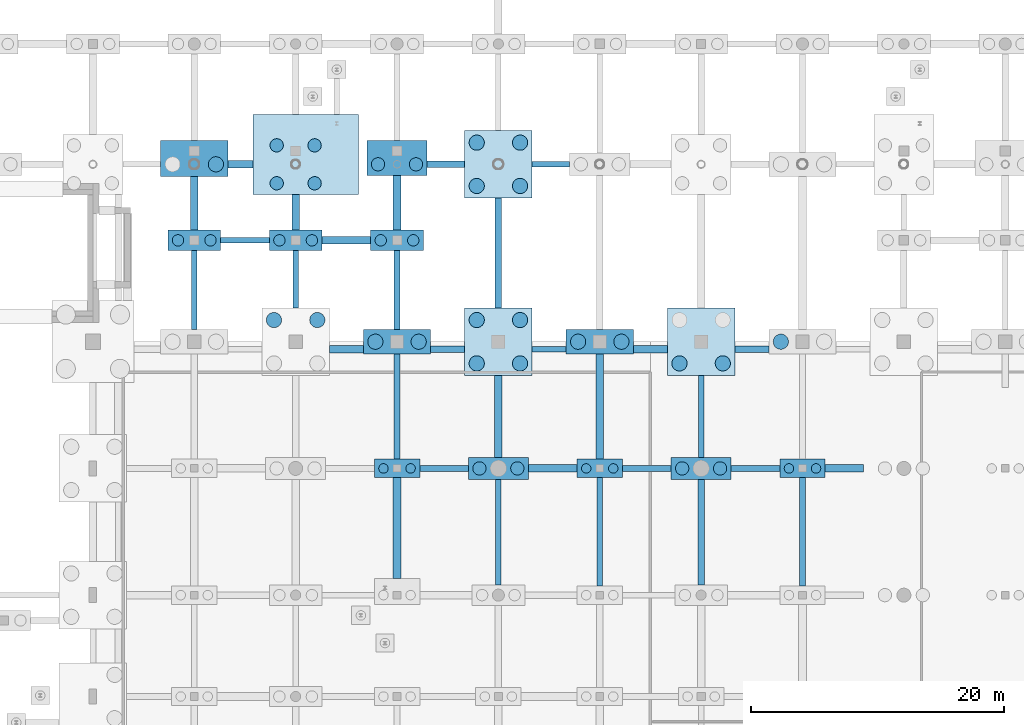
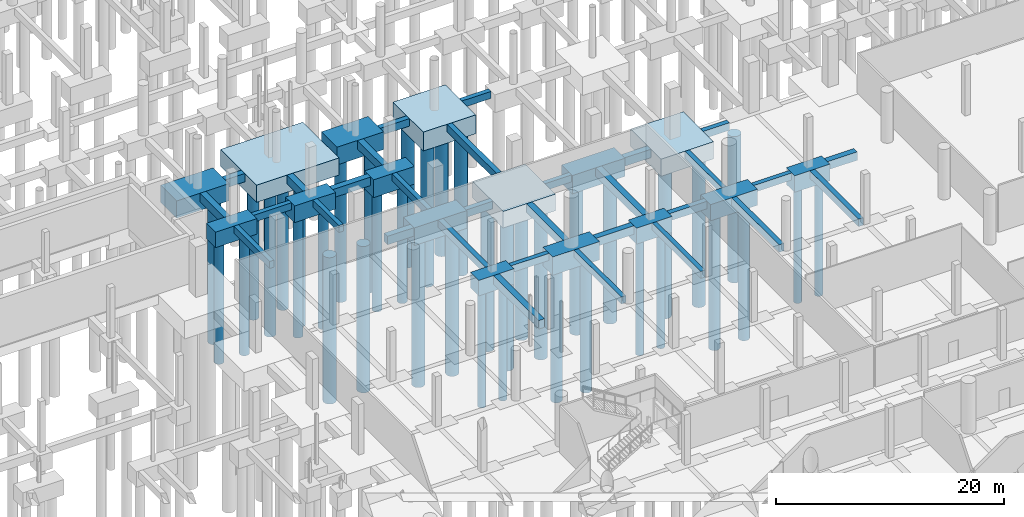
# One storey, part 8 of 65: 47 footings, 40 piles.
"""IFC4 building model written with IfcOpenShell, lengths in metres."""

from ifc_helpers import new_model, si_unit, direction, frame, origin, origin_2d, place, context, subcontext, project, spatial, rectangle, circle, extrude, material, material_profile, profile_set, type_object, element, save


model = new_model("IFC4")

# Units and contexts
model_context = context("Model", 3, precision=1e-05, world=origin(), true_north=direction((0.0, 1.0)))
body_context = subcontext(model_context, "Body", "Model", "MODEL_VIEW")
ifc_project = project(units=[si_unit("LENGTHUNIT", "METRE"), si_unit("AREAUNIT", "SQUARE_METRE"), si_unit("VOLUMEUNIT", "CUBIC_METRE"), si_unit("PLANEANGLEUNIT", "RADIAN"), si_unit("MASSUNIT", "GRAM", prefix="KILO")], contexts=[model_context])

# Site, building, storey
site_placement = place(None, origin())
site = spatial("IfcSite", under=ifc_project, at=site_placement, CompositionType="ELEMENT")
building_placement = place(site_placement, origin())
building = spatial("IfcBuilding", under=site, at=building_placement, Name="Khorjan Park Terminus", CompositionType="ELEMENT")
storey_placement = place(building_placement, frame((0.0, 0.0, -5.4)))
storey = spatial("IfcBuildingStorey", under=building, at=storey_placement, Name="B1", CompositionType="ELEMENT", Elevation=-5.4)

# Footings
ifc_material = material(Name="Concrete C40/50", Category="concrete")
ifc_material_profile_1 = material_profile(ifc_material, rectangle(XDim=0.45, YDim=0.75, at=origin_2d()), Name="RC 450x750")
ifc_profile_set_1 = profile_set([ifc_material_profile_1], Name="Concrete C40/50")
footing_type_1 = type_object("IfcFootingType", Name="FTG-GB-450x750", PredefinedType="FOOTING_BEAM", material=ifc_profile_set_1)
for number, where, z_axis, x_axis, name in (
    (1, (73.794, 78.0, -0.375), (1.0, 0.0, 0.0), (0.0, 1.0, 0.0), "Reinforced concrete ground tie beam FB-07 (71)"),
    (2, (98.371, 78.0, -0.375), (1.0, 0.0, 0.0), (0.0, 1.0, 0.0), "Reinforced concrete ground tie beam FB-07 (74)"),
):
    element("IfcFooting", number, at=place(storey_placement, frame(where, z_axis=z_axis, x_axis=x_axis)), inside=storey, type_object=footing_type_1, Name=name, PredefinedType="FOOTING_BEAM", context=body_context, shape_type="SweptSolid", body=[
        extrude(rectangle(XDim=0.45, YDim=0.75, at=origin_2d()), origin(), (0.0, 0.0, 1.0), 3.835),
    ])
footing_1_placement = place(storey_placement, frame((82.66, 87.4, -0.375), z_axis=(1.0, 0.0, 0.0), x_axis=(0.0, 1.0, 0.0)))
element("IfcFooting", 3, at=footing_1_placement, inside=storey, type_object=footing_type_1, Name="Reinforced concrete ground tie beam FB-07 (80)", PredefinedType="FOOTING_BEAM", context=body_context, shape_type="SweptSolid", body=[
    extrude(rectangle(XDim=0.45, YDim=0.75, at=origin_2d()), origin(), (0.0, 0.0, 1.0), 2.68),
])
footing_2_placement = place(storey_placement, frame((58.083, 96.0, -0.375), z_axis=(1.0, 0.0, 0.0), x_axis=(0.0, 1.0, 0.0)))
element("IfcFooting", 4, at=footing_2_placement, inside=storey, type_object=footing_type_1, Name="Reinforced concrete ground tie beam FB-07 (86)", PredefinedType="FOOTING_BEAM", context=body_context, shape_type="SweptSolid", body=[
    extrude(rectangle(XDim=0.45, YDim=0.75, at=origin_2d()), origin(), (0.0, 0.0, 1.0), 3.834),
])
footing_3_placement = place(storey_placement, frame((82.66, 102.0, -0.375), z_axis=(1.0, 0.0, 0.0), x_axis=(0.0, 1.0, 0.0)))
element("IfcFooting", 5, at=footing_3_placement, inside=storey, type_object=footing_type_1, Name="Reinforced concrete ground tie beam FB-07 (98)", PredefinedType="FOOTING_BEAM", context=body_context, shape_type="SweptSolid", body=[
    extrude(rectangle(XDim=0.45, YDim=0.75, at=origin_2d()), origin(), (0.0, 0.0, 1.0), 2.969),
])
footing_4_placement = place(storey_placement, frame((56.0, 88.95, -0.375), z_axis=(0.0, 1.0, 0.0), x_axis=(-1.0, 0.0, 0.0)))
element("IfcFooting", 6, at=footing_4_placement, inside=storey, type_object=footing_type_1, Name="Reinforced concrete ground tie beam FB-07 (248)", PredefinedType="FOOTING_BEAM", context=body_context, shape_type="SweptSolid", body=[
    extrude(rectangle(XDim=0.45, YDim=0.75, at=origin_2d()), origin(), (0.0, 0.0, 1.0), 6.25),
])
footing_5_placement = place(storey_placement, frame((64.0, 90.66, -0.375), z_axis=(0.0, 1.0, 0.0), x_axis=(-1.0, 0.0, 0.0)))
element("IfcFooting", 7, at=footing_5_placement, inside=storey, type_object=footing_type_1, Name="Reinforced concrete ground tie beam FB-07 (266)", PredefinedType="FOOTING_BEAM", context=body_context, shape_type="SweptSolid", body=[
    extrude(rectangle(XDim=0.45, YDim=0.75, at=origin_2d()), origin(), (0.0, 0.0, 1.0), 4.54),
])
footing_6_placement = place(storey_placement, frame((72.0, 88.95, -0.375), z_axis=(0.0, 1.0, 0.0), x_axis=(-1.0, 0.0, 0.0)))
element("IfcFooting", 8, at=footing_6_placement, inside=storey, type_object=footing_type_1, Name="Reinforced concrete ground tie beam FB-07 (278)", PredefinedType="FOOTING_BEAM", context=body_context, shape_type="SweptSolid", body=[
    extrude(rectangle(XDim=0.45, YDim=0.75, at=origin_2d()), origin(), (0.0, 0.0, 1.0), 6.25),
])
footing_7_placement = place(storey_placement, frame((80.0, 68.8, -0.375), z_axis=(0.0, 1.0, 0.0), x_axis=(-1.0, 0.0, 0.0)))
element("IfcFooting", 9, at=footing_7_placement, inside=storey, type_object=footing_type_1, Name="Reinforced concrete ground tie beam FB-07 (293)", PredefinedType="FOOTING_BEAM", context=body_context, shape_type="SweptSolid", body=[
    extrude(rectangle(XDim=0.45, YDim=0.75, at=origin_2d()), origin(), (0.0, 0.0, 1.0), 8.325),
])
footing_8_placement = place(storey_placement, frame((88.0, 68.725, -0.375), z_axis=(0.0, 1.0, 0.0), x_axis=(-1.0, 0.0, 0.0)))
element("IfcFooting", 10, at=footing_8_placement, inside=storey, type_object=footing_type_1, Name="Reinforced concrete ground tie beam FB-07 (308)", PredefinedType="FOOTING_BEAM", context=body_context, shape_type="SweptSolid", body=[
    extrude(rectangle(XDim=0.45, YDim=0.75, at=origin_2d()), origin(), (0.0, 0.0, 1.0), 8.55),
])
footing_9_placement = place(storey_placement, frame((96.0, 78.875, -0.375), z_axis=(0.0, 1.0, 0.0), x_axis=(-1.0, 0.0, 0.0)))
element("IfcFooting", 11, at=footing_9_placement, inside=storey, type_object=footing_type_1, Name="Reinforced concrete ground tie beam FB-07 (323)", PredefinedType="FOOTING_BEAM", context=body_context, shape_type="SweptSolid", body=[
    extrude(rectangle(XDim=0.45, YDim=0.75, at=origin_2d()), origin(), (0.0, 0.0, 1.0), 6.465),
])
ifc_material_profile_2 = material_profile(ifc_material, rectangle(XDim=0.5, YDim=0.8, at=origin_2d()), Name="RC 500x800")
ifc_profile_set_2 = profile_set([ifc_material_profile_2], Name="Concrete C40/50")
footing_type_2 = type_object("IfcFootingType", Name="FTG-GB-500x800", PredefinedType="FOOTING_BEAM", material=ifc_profile_set_2)
footing_10_placement = place(storey_placement, frame((89.794, 78.0, -0.4), z_axis=(1.0, 0.0, 0.0), x_axis=(0.0, 1.0, 0.0)))
element("IfcFooting", 12, at=footing_10_placement, inside=storey, type_object=footing_type_2, Name="Reinforced concrete ground tie beam FB-08 (73)", PredefinedType="FOOTING_BEAM", context=body_context, shape_type="SweptSolid", body=[
    extrude(rectangle(XDim=0.5, YDim=0.8, at=origin_2d()), origin(), (0.0, 0.0, 1.0), 3.835),
])
for number, where, z_axis, x_axis, name in (
    (13, (74.66, 87.4, -0.4), (1.0, 0.0, 0.0), (0.0, 1.0, 0.0), "Reinforced concrete ground tie beam FB-08 (79)"),
    (14, (98.66, 87.4, -0.4), (1.0, 0.0, 0.0), (0.0, 1.0, 0.0), "Reinforced concrete ground tie beam FB-08 (82)"),
):
    element("IfcFooting", number, at=place(storey_placement, frame(where, z_axis=z_axis, x_axis=x_axis)), inside=storey, type_object=footing_type_2, Name=name, PredefinedType="FOOTING_BEAM", context=body_context, shape_type="SweptSolid", body=[
        extrude(rectangle(XDim=0.5, YDim=0.8, at=origin_2d()), origin(), (0.0, 0.0, 1.0), 2.68),
    ])
footing_11_placement = place(storey_placement, frame((74.371, 102.0, -0.4), z_axis=(1.0, 0.0, 0.0), x_axis=(0.0, 1.0, 0.0)))
element("IfcFooting", 15, at=footing_11_placement, inside=storey, type_object=footing_type_2, Name="Reinforced concrete ground tie beam FB-08 (97)", PredefinedType="FOOTING_BEAM", context=body_context, shape_type="SweptSolid", body=[
    extrude(rectangle(XDim=0.5, YDim=0.8, at=origin_2d()), origin(), (0.0, 0.0, 1.0), 2.969),
])
footing_12_placement = place(storey_placement, frame((72.0, 78.725, -0.4), z_axis=(0.0, 1.0, 0.0), x_axis=(-1.0, 0.0, 0.0)))
element("IfcFooting", 16, at=footing_12_placement, inside=storey, type_object=footing_type_2, Name="Reinforced concrete ground tie beam FB-08 (277)", PredefinedType="FOOTING_BEAM", context=body_context, shape_type="SweptSolid", body=[
    extrude(rectangle(XDim=0.5, YDim=0.8, at=origin_2d()), origin(), (0.0, 0.0, 1.0), 8.325),
])
footing_13_placement = place(storey_placement, frame((80.0, 90.66, -0.4), z_axis=(0.0, 1.0, 0.0), x_axis=(-1.0, 0.0, 0.0)))
element("IfcFooting", 17, at=footing_13_placement, inside=storey, type_object=footing_type_2, Name="Reinforced concrete ground tie beam FB-08 (295)", PredefinedType="FOOTING_BEAM", context=body_context, shape_type="SweptSolid", body=[
    extrude(rectangle(XDim=0.5, YDim=0.8, at=origin_2d()), origin(), (0.0, 0.0, 1.0), 8.68),
])
footing_14_placement = place(storey_placement, frame((96.0, 68.8, -0.4), z_axis=(0.0, 1.0, 0.0), x_axis=(-1.0, 0.0, 0.0)))
element("IfcFooting", 18, at=footing_14_placement, inside=storey, type_object=footing_type_2, Name="Reinforced concrete ground tie beam FB-08 (322)", PredefinedType="FOOTING_BEAM", context=body_context, shape_type="SweptSolid", body=[
    extrude(rectangle(XDim=0.5, YDim=0.8, at=origin_2d()), origin(), (0.0, 0.0, 1.0), 8.325),
])
footing_15_placement = place(storey_placement, frame((104.0, 68.725, -0.4), z_axis=(0.0, 1.0, 0.0), x_axis=(-1.0, 0.0, 0.0)))
element("IfcFooting", 19, at=footing_15_placement, inside=storey, type_object=footing_type_2, Name="Reinforced concrete ground tie beam FB-08 (334)", PredefinedType="FOOTING_BEAM", context=body_context, shape_type="SweptSolid", body=[
    extrude(rectangle(XDim=0.5, YDim=0.8, at=origin_2d()), origin(), (0.0, 0.0, 1.0), 8.55),
])
ifc_material_profile_3 = material_profile(ifc_material, rectangle(XDim=0.6, YDim=0.9, at=origin_2d()), Name="RC 600x900")
ifc_profile_set_3 = profile_set([ifc_material_profile_3], Name="Concrete C40/50")
footing_type_3 = type_object("IfcFootingType", Name="FTG-GB-600x900", PredefinedType="FOOTING_BEAM", material=ifc_profile_set_3)
footing_16_placement = place(storey_placement, frame((82.371, 78.0, -0.45), z_axis=(1.0, 0.0, 0.0), x_axis=(0.0, 1.0, 0.0)))
element("IfcFooting", 20, at=footing_16_placement, inside=storey, type_object=footing_type_3, Name="Reinforced concrete ground tie beam FB-09 (72)", PredefinedType="FOOTING_BEAM", context=body_context, shape_type="SweptSolid", body=[
    extrude(rectangle(XDim=0.6, YDim=0.9, at=origin_2d()), origin(), (0.0, 0.0, 1.0), 3.835),
])
footing_17_placement = place(storey_placement, frame((105.794, 78.0, -0.45), z_axis=(1.0, 0.0, 0.0), x_axis=(0.0, 1.0, 0.0)))
element("IfcFooting", 21, at=footing_17_placement, inside=storey, type_object=footing_type_3, Name="Reinforced concrete ground tie beam FB-09 (75)", PredefinedType="FOOTING_BEAM", context=body_context, shape_type="SweptSolid", body=[
    extrude(rectangle(XDim=0.6, YDim=0.9, at=origin_2d()), origin(), (0.0, 0.0, 1.0), 3.014),
])
for number, where, z_axis, x_axis, name in (
    (22, (66.66, 87.4, -0.45), (1.0, 0.0, 0.0), (0.0, 1.0, 0.0), "Reinforced concrete ground tie beam FB-09 (78)"),
    (23, (90.66, 87.4, -0.45), (1.0, 0.0, 0.0), (0.0, 1.0, 0.0), "Reinforced concrete ground tie beam FB-09 (81)"),
):
    element("IfcFooting", number, at=place(storey_placement, frame(where, z_axis=z_axis, x_axis=x_axis)), inside=storey, type_object=footing_type_3, Name=name, PredefinedType="FOOTING_BEAM", context=body_context, shape_type="SweptSolid", body=[
        extrude(rectangle(XDim=0.6, YDim=0.9, at=origin_2d()), origin(), (0.0, 0.0, 1.0), 2.68),
    ])
footing_18_placement = place(storey_placement, frame((66.082, 96.0, -0.45), z_axis=(1.0, 0.0, 0.0), x_axis=(0.0, 1.0, 0.0)))
element("IfcFooting", 24, at=footing_18_placement, inside=storey, type_object=footing_type_3, Name="Reinforced concrete ground tie beam FB-09 (87)", PredefinedType="FOOTING_BEAM", context=body_context, shape_type="SweptSolid", body=[
    extrude(rectangle(XDim=0.6, YDim=0.9, at=origin_2d()), origin(), (0.0, 0.0, 1.0), 3.836),
])
footing_19_placement = place(storey_placement, frame((58.66, 102.0, -0.45), z_axis=(1.0, 0.0, 0.0), x_axis=(0.0, 1.0, 0.0)))
element("IfcFooting", 25, at=footing_19_placement, inside=storey, type_object=footing_type_3, Name="Reinforced concrete ground tie beam FB-09 (96)", PredefinedType="FOOTING_BEAM", context=body_context, shape_type="SweptSolid", body=[
    extrude(rectangle(XDim=0.6, YDim=0.9, at=origin_2d()), origin(), (0.0, 0.0, 1.0), 1.973),
])
footing_20_placement = place(storey_placement, frame((56.0, 96.8, -0.45), z_axis=(0.0, 1.0, 0.0), x_axis=(-1.0, 0.0, 0.0)))
element("IfcFooting", 26, at=footing_20_placement, inside=storey, type_object=footing_type_3, Name="Reinforced concrete ground tie beam FB-09 (249)", PredefinedType="FOOTING_BEAM", context=body_context, shape_type="SweptSolid", body=[
    extrude(rectangle(XDim=0.6, YDim=0.9, at=origin_2d()), origin(), (0.0, 0.0, 1.0), 4.25),
])
footing_21_placement = place(storey_placement, frame((64.0, 96.8, -0.45), z_axis=(0.0, 1.0, 0.0), x_axis=(-1.0, 0.0, 0.0)))
element("IfcFooting", 27, at=footing_21_placement, inside=storey, type_object=footing_type_3, Name="Reinforced concrete ground tie beam FB-09 (267)", PredefinedType="FOOTING_BEAM", context=body_context, shape_type="SweptSolid", body=[
    extrude(rectangle(XDim=0.6, YDim=0.9, at=origin_2d()), origin(), (0.0, 0.0, 1.0), 2.829),
])
footing_22_placement = place(storey_placement, frame((72.0, 69.305, -0.45), z_axis=(0.0, 1.0, 0.0), x_axis=(-1.0, 0.0, 0.0)))
element("IfcFooting", 28, at=footing_22_placement, inside=storey, type_object=footing_type_3, Name="Reinforced concrete ground tie beam FB-09 (276)", PredefinedType="FOOTING_BEAM", context=body_context, shape_type="SweptSolid", body=[
    extrude(rectangle(XDim=0.6, YDim=0.9, at=origin_2d()), origin(), (0.0, 0.0, 1.0), 7.97),
])
footing_23_placement = place(storey_placement, frame((72.0, 96.8, -0.45), z_axis=(0.0, 1.0, 0.0), x_axis=(-1.0, 0.0, 0.0)))
element("IfcFooting", 29, at=footing_23_placement, inside=storey, type_object=footing_type_3, Name="Reinforced concrete ground tie beam FB-09 (279)", PredefinedType="FOOTING_BEAM", context=body_context, shape_type="SweptSolid", body=[
    extrude(rectangle(XDim=0.6, YDim=0.9, at=origin_2d()), origin(), (0.0, 0.0, 1.0), 4.325),
])
footing_24_placement = place(storey_placement, frame((80.0, 78.875, -0.45), z_axis=(0.0, 1.0, 0.0), x_axis=(-1.0, 0.0, 0.0)))
element("IfcFooting", 30, at=footing_24_placement, inside=storey, type_object=footing_type_3, Name="Reinforced concrete ground tie beam FB-09 (294)", PredefinedType="FOOTING_BEAM", context=body_context, shape_type="SweptSolid", body=[
    extrude(rectangle(XDim=0.6, YDim=0.9, at=origin_2d()), origin(), (0.0, 0.0, 1.0), 6.465),
])
footing_25_placement = place(storey_placement, frame((88.0, 78.725, -0.45), z_axis=(0.0, 1.0, 0.0), x_axis=(-1.0, 0.0, 0.0)))
element("IfcFooting", 31, at=footing_25_placement, inside=storey, type_object=footing_type_3, Name="Reinforced concrete ground tie beam FB-09 (309)", PredefinedType="FOOTING_BEAM", context=body_context, shape_type="SweptSolid", body=[
    extrude(rectangle(XDim=0.6, YDim=0.9, at=origin_2d()), origin(), (0.0, 0.0, 1.0), 8.325),
])
footing_type_4 = type_object("IfcFootingType", Name="FTG-PC-05", PredefinedType="PILE_CAP", material=ifc_material)
footing_26_placement = place(storey_placement, frame((63.9995, 96.0, -1.78), z_axis=(0.0, 0.0, 1.0), x_axis=(1.0, 0.0, 0.0)))
element("IfcFooting", 32, at=footing_26_placement, inside=storey, type_object=footing_type_4, Name="Reinforced concrete pile cap PC-05 (109)", PredefinedType="PILE_CAP", context=body_context, shape_type="SweptSolid", body=[
    extrude(rectangle(XDim=4.165, YDim=1.6, at=origin_2d()), origin(), (0.0, 0.0, 1.0), 1.78),
])
footing_type_5 = type_object("IfcFootingType", Name="FTG-PC-07", PredefinedType="PILE_CAP", material=ifc_material)
footing_27_placement = place(storey_placement, frame((56.0, 96.0, -1.66), z_axis=(0.0, 0.0, 1.0), x_axis=(1.0, 0.0, 0.0)))
element("IfcFooting", 33, at=footing_27_placement, inside=storey, type_object=footing_type_5, Name="Reinforced concrete pile cap PC-07 (87)", PredefinedType="PILE_CAP", context=body_context, shape_type="SweptSolid", body=[
    extrude(rectangle(XDim=4.166, YDim=1.6, at=origin_2d()), origin(), (0.0, 0.0, 1.0), 1.66),
])
footing_type_6 = type_object("IfcFootingType", Name="FTG-PC-12", PredefinedType="PILE_CAP", material=ifc_material)
footing_28_placement = place(storey_placement, frame((72.0, 96.0, -1.9), z_axis=(0.0, 0.0, 1.0), x_axis=(1.0, 0.0, 0.0)))
element("IfcFooting", 34, at=footing_28_placement, inside=storey, type_object=footing_type_6, Name="Reinforced concrete pile cap PC-12 (132)", PredefinedType="PILE_CAP", context=body_context, shape_type="SweptSolid", body=[
    extrude(rectangle(XDim=4.164, YDim=1.6, at=origin_2d()), origin(), (0.0, 0.0, 1.0), 1.9),
])
footing_type_7 = type_object("IfcFootingType", Name="FTG-PC-24", PredefinedType="PILE_CAP", material=ifc_material)
footing_29_placement = place(storey_placement, frame((80.0, 102.0, -2.02), z_axis=(0.0, 0.0, 1.0), x_axis=(1.0, 0.0, 0.0)))
element("IfcFooting", 35, at=footing_29_placement, inside=storey, type_object=footing_type_7, Name="Reinforced concrete pile cap PC-24 (148)", PredefinedType="PILE_CAP", context=body_context, shape_type="SweptSolid", body=[
    extrude(rectangle(XDim=5.32, YDim=5.32, at=origin_2d()), origin(), (0.0, 0.0, 1.0), 2.02),
])
footing_type_8 = type_object("IfcFootingType", Name="FTG-PC-25", PredefinedType="PILE_CAP", material=ifc_material)
footing_30_placement = place(storey_placement, frame((80.0, 78.0, -1.96), z_axis=(0.0, 0.0, 1.0), x_axis=(1.0, 0.0, 0.0)))
element("IfcFooting", 36, at=footing_30_placement, inside=storey, type_object=footing_type_8, Name="Reinforced concrete pile cap PC-25 (150)", PredefinedType="PILE_CAP", context=body_context, shape_type="SweptSolid", body=[
    extrude(rectangle(XDim=4.742, YDim=1.75, at=origin_2d()), origin(), (0.0, 0.0, 1.0), 1.96),
])
footing_type_9 = type_object("IfcFootingType", Name="FTG-PC-26", PredefinedType="PILE_CAP", material=ifc_material)
footing_31_placement = place(storey_placement, frame((96.0, 78.0, -1.72), z_axis=(0.0, 0.0, 1.0), x_axis=(1.0, 0.0, 0.0)))
element("IfcFooting", 37, at=footing_31_placement, inside=storey, type_object=footing_type_9, Name="Reinforced concrete pile cap PC-26 (180)", PredefinedType="PILE_CAP", context=body_context, shape_type="SweptSolid", body=[
    extrude(rectangle(XDim=4.742, YDim=1.75, at=origin_2d()), origin(), (0.0, 0.0, 1.0), 1.72),
])
footing_type_10 = type_object("IfcFootingType", Name="FTG-PC-29", PredefinedType="PILE_CAP", material=ifc_material)
footing_32_placement = place(storey_placement, frame((80.0, 88.0, -1.78), z_axis=(0.0, 0.0, 1.0), x_axis=(1.0, 0.0, 0.0)))
element("IfcFooting", 38, at=footing_32_placement, inside=storey, type_object=footing_type_10, Name="Reinforced concrete pile cap PC-29 (147)", PredefinedType="PILE_CAP", context=body_context, shape_type="SweptSolid", body=[
    extrude(rectangle(XDim=5.32, YDim=5.32, at=origin_2d()), origin(), (0.0, 0.0, 1.0), 1.78),
])
footing_type_11 = type_object("IfcFootingType", Name="FTG-PC-34", PredefinedType="PILE_CAP", material=ifc_material)
footing_33_placement = place(storey_placement, frame((72.0, 88.0, -1.9), z_axis=(0.0, 0.0, 1.0), x_axis=(1.0, 0.0, 0.0)))
element("IfcFooting", 39, at=footing_33_placement, inside=storey, type_object=footing_type_11, Name="Reinforced concrete pile cap PC-34 (129)", PredefinedType="PILE_CAP", context=body_context, shape_type="SweptSolid", body=[
    extrude(rectangle(XDim=5.32, YDim=1.9, at=origin_2d()), origin(), (0.0, 0.0, 1.0), 1.9),
])
footing_type_12 = type_object("IfcFootingType", Name="FTG-PC-35", PredefinedType="PILE_CAP", material=ifc_material)
footing_34_placement = place(storey_placement, frame((56.0, 102.455, -1.84), z_axis=(0.0, 0.0, 1.0), x_axis=(1.0, 0.0, 0.0)))
element("IfcFooting", 40, at=footing_34_placement, inside=storey, type_object=footing_type_12, Name="Reinforced concrete pile cap PC-35 (85)", PredefinedType="PILE_CAP", context=body_context, shape_type="SweptSolid", body=[
    extrude(rectangle(XDim=5.32, YDim=2.81, at=origin_2d()), origin(), (0.0, 0.0, 1.0), 1.84),
])
footing_type_13 = type_object("IfcFootingType", Name="FTG-PC-36", PredefinedType="PILE_CAP", material=ifc_material)
footing_35_placement = place(storey_placement, frame((88.0, 78.0, -1.72), z_axis=(0.0, 0.0, 1.0), x_axis=(1.0, 0.0, 0.0)))
element("IfcFooting", 41, at=footing_35_placement, inside=storey, type_object=footing_type_13, Name="Reinforced concrete pile cap PC-36 (175)", PredefinedType="PILE_CAP", context=body_context, shape_type="SweptSolid", body=[
    extrude(rectangle(XDim=3.588, YDim=1.45, at=origin_2d()), origin(), (0.0, 0.0, 1.0), 1.72),
])
footing_type_14 = type_object("IfcFootingType", Name="FTG-PC-37", PredefinedType="PILE_CAP", material=ifc_material)
footing_36_placement = place(storey_placement, frame((104.0, 78.0, -1.78), z_axis=(0.0, 0.0, 1.0), x_axis=(1.0, 0.0, 0.0)))
element("IfcFooting", 42, at=footing_36_placement, inside=storey, type_object=footing_type_14, Name="Reinforced concrete pile cap PC-37 (212)", PredefinedType="PILE_CAP", context=body_context, shape_type="SweptSolid", body=[
    extrude(rectangle(XDim=3.588, YDim=1.45, at=origin_2d()), origin(), (0.0, 0.0, 1.0), 1.78),
])
footing_type_15 = type_object("IfcFootingType", Name="FTG-PC-40", PredefinedType="PILE_CAP", material=ifc_material)
footing_37_placement = place(storey_placement, frame((72.0, 78.0, -1.66), z_axis=(0.0, 0.0, 1.0), x_axis=(1.0, 0.0, 0.0)))
element("IfcFooting", 43, at=footing_37_placement, inside=storey, type_object=footing_type_15, Name="Reinforced concrete pile cap PC-40 (141)", PredefinedType="PILE_CAP", context=body_context, shape_type="SweptSolid", body=[
    extrude(rectangle(XDim=3.588, YDim=1.45, at=origin_2d()), origin(), (0.0, 0.0, 1.0), 1.66),
])
footing_type_16 = type_object("IfcFootingType", Name="FTG-PC-41", PredefinedType="PILE_CAP", material=ifc_material)
footing_38_placement = place(storey_placement, frame((64.802, 102.787, -1.84), z_axis=(0.0, 0.0, 1.0), x_axis=(1.0, 0.0, 0.0)))
element("IfcFooting", 44, at=footing_38_placement, inside=storey, type_object=footing_type_16, Name="Reinforced concrete pile cap PC-41 (101)", PredefinedType="PILE_CAP", context=body_context, shape_type="SweptSolid", body=[
    extrude(rectangle(XDim=8.338, YDim=6.316, at=origin_2d()), origin(), (0.0, 0.0, 1.0), 1.84),
])
footing_type_17 = type_object("IfcFootingType", Name="FTG-PC-43", PredefinedType="PILE_CAP", material=ifc_material)
footing_39_placement = place(storey_placement, frame((72.0, 102.4925, -1.9), z_axis=(0.0, 0.0, 1.0), x_axis=(1.0, 0.0, 0.0)))
element("IfcFooting", 45, at=footing_39_placement, inside=storey, type_object=footing_type_17, Name="Reinforced concrete pile cap PC-43 (130)", PredefinedType="PILE_CAP", context=body_context, shape_type="SweptSolid", body=[
    extrude(rectangle(XDim=4.742, YDim=2.735, at=origin_2d()), origin(), (0.0, 0.0, 1.0), 1.9),
])
footing_type_18 = type_object("IfcFootingType", Name="FTG-PC-47", PredefinedType="PILE_CAP", material=ifc_material)
footing_40_placement = place(storey_placement, frame((88.0, 88.0, -1.96), z_axis=(0.0, 0.0, 1.0), x_axis=(1.0, 0.0, 0.0)))
element("IfcFooting", 46, at=footing_40_placement, inside=storey, type_object=footing_type_18, Name="Reinforced concrete pile cap PC-47 (164)", PredefinedType="PILE_CAP", context=body_context, shape_type="SweptSolid", body=[
    extrude(rectangle(XDim=5.32, YDim=1.9, at=origin_2d()), origin(), (0.0, 0.0, 1.0), 1.96),
])
footing_type_19 = type_object("IfcFootingType", Name="FTG-PC-57", PredefinedType="PILE_CAP", material=ifc_material)
footing_41_placement = place(storey_placement, frame((96.0, 88.0, -1.84), z_axis=(0.0, 0.0, 1.0), x_axis=(1.0, 0.0, 0.0)))
element("IfcFooting", 47, at=footing_41_placement, inside=storey, type_object=footing_type_19, Name="Reinforced concrete pile cap PC-57 (178)", PredefinedType="PILE_CAP", context=body_context, shape_type="SweptSolid", body=[
    extrude(rectangle(XDim=5.32, YDim=5.32, at=origin_2d()), origin(), (0.0, 0.0, 1.0), 1.84),
])

# Piles
ifc_material_profile_4 = material_profile(ifc_material, circle(Radius=0.525, at=origin_2d()), Name="BORED D1050")
ifc_profile_set_4 = profile_set([ifc_material_profile_4], Name="Concrete C40/50")
pile_type_1 = type_object("IfcPileType", Name="PL-D1050", PredefinedType="BORED", material=ifc_profile_set_4)
for number, where, z_axis, x_axis, name in (
    (48, (62.5035, 100.5035, -1.74), (0.0, 0.0, -1.0), (1.0, 0.0, 0.0), "Bored rock-socketed pile PL-105 (236)"),
    (49, (62.5035, 103.4965, -1.74), (0.0, 0.0, -1.0), (1.0, 0.0, 0.0), "Bored rock-socketed pile PL-105 (237)"),
    (50, (65.4965, 100.5035, -1.74), (0.0, 0.0, -1.0), (1.0, 0.0, 0.0), "Bored rock-socketed pile PL-105 (238)"),
    (51, (65.4965, 103.4965, -1.74), (0.0, 0.0, -1.0), (1.0, 0.0, 0.0), "Bored rock-socketed pile PL-105 (239)"),
):
    element("IfcPile", number, at=place(storey_placement, frame(where, z_axis=z_axis, x_axis=x_axis)), inside=storey, type_object=pile_type_1, Name=name, PredefinedType="BORED", context=body_context, shape_type="SweptSolid", body=[
        extrude(circle(Radius=0.525, at=origin_2d()), origin(), (0.0, 0.0, 1.0), 15.36),
    ])
for number, where, z_axis, x_axis, name in (
    (52, (70.5035, 102.0, -1.8), (0.0, 0.0, -1.0), (1.0, 0.0, 0.0), "Bored rock-socketed pile PL-105 (287)"),
    (53, (73.4965, 102.0, -1.8), (0.0, 0.0, -1.0), (1.0, 0.0, 0.0), "Bored rock-socketed pile PL-105 (288)"),
):
    element("IfcPile", number, at=place(storey_placement, frame(where, z_axis=z_axis, x_axis=x_axis)), inside=storey, type_object=pile_type_1, Name=name, PredefinedType="BORED", context=body_context, shape_type="SweptSolid", body=[
        extrude(circle(Radius=0.525, at=origin_2d()), origin(), (0.0, 0.0, 1.0), 15.3),
    ])
for number, where, z_axis, x_axis, name in (
    (54, (78.5035, 78.0, -1.86), (0.0, 0.0, -1.0), (1.0, 0.0, 0.0), "Bored rock-socketed pile PL-105 (342)"),
    (55, (81.4965, 78.0, -1.86), (0.0, 0.0, -1.0), (1.0, 0.0, 0.0), "Bored rock-socketed pile PL-105 (343)"),
):
    element("IfcPile", number, at=place(storey_placement, frame(where, z_axis=z_axis, x_axis=x_axis)), inside=storey, type_object=pile_type_1, Name=name, PredefinedType="BORED", context=body_context, shape_type="SweptSolid", body=[
        extrude(circle(Radius=0.525, at=origin_2d()), origin(), (0.0, 0.0, 1.0), 14.24),
    ])
for number, where, z_axis, x_axis, name in (
    (56, (94.5035, 78.0, -1.62), (0.0, 0.0, -1.0), (1.0, 0.0, 0.0), "Bored rock-socketed pile PL-105 (402)"),
    (57, (97.4965, 78.0, -1.62), (0.0, 0.0, -1.0), (1.0, 0.0, 0.0), "Bored rock-socketed pile PL-105 (403)"),
):
    element("IfcPile", number, at=place(storey_placement, frame(where, z_axis=z_axis, x_axis=x_axis)), inside=storey, type_object=pile_type_1, Name=name, PredefinedType="BORED", context=body_context, shape_type="SweptSolid", body=[
        extrude(circle(Radius=0.525, at=origin_2d()), origin(), (0.0, 0.0, 1.0), 14.48),
    ])
ifc_material_profile_5 = material_profile(ifc_material, circle(Radius=0.6, at=origin_2d()), Name="BORED D1200")
ifc_profile_set_5 = profile_set([ifc_material_profile_5], Name="Concrete C40/50")
pile_type_2 = type_object("IfcPileType", Name="PL-D1200", PredefinedType="BORED", material=ifc_profile_set_5)
pile_1_placement = place(storey_placement, frame((57.71, 102.0, -1.74), z_axis=(0.0, 0.0, -1.0), x_axis=(1.0, 0.0, 0.0)))
element("IfcPile", 58, at=pile_1_placement, inside=storey, type_object=pile_type_2, Name="Bored rock-socketed pile PL-120 (207)", PredefinedType="BORED", context=body_context, shape_type="SweptSolid", body=[
    extrude(circle(Radius=0.6, at=origin_2d()), origin(), (0.0, 0.0, 1.0), 15.36),
])
for number, where, z_axis, x_axis, name in (
    (59, (62.29, 89.71, -1.92), (0.0, 0.0, -1.0), (1.0, 0.0, 0.0), "Bored rock-socketed pile PL-120 (241)"),
    (60, (65.71, 89.71, -1.92), (0.0, 0.0, -1.0), (1.0, 0.0, 0.0), "Bored rock-socketed pile PL-120 (243)"),
):
    element("IfcPile", number, at=place(storey_placement, frame(where, z_axis=z_axis, x_axis=x_axis)), inside=storey, type_object=pile_type_2, Name=name, PredefinedType="BORED", context=body_context, shape_type="SweptSolid", body=[
        extrude(circle(Radius=0.6, at=origin_2d()), origin(), (0.0, 0.0, 1.0), 15.68),
    ])
for number, where, z_axis, x_axis, name in (
    (61, (70.29, 88.0, -1.8), (0.0, 0.0, -1.0), (1.0, 0.0, 0.0), "Bored rock-socketed pile PL-120 (285)"),
    (62, (73.71, 88.0, -1.8), (0.0, 0.0, -1.0), (1.0, 0.0, 0.0), "Bored rock-socketed pile PL-120 (286)"),
):
    element("IfcPile", number, at=place(storey_placement, frame(where, z_axis=z_axis, x_axis=x_axis)), inside=storey, type_object=pile_type_2, Name=name, PredefinedType="BORED", context=body_context, shape_type="SweptSolid", body=[
        extrude(circle(Radius=0.6, at=origin_2d()), origin(), (0.0, 0.0, 1.0), 15.8),
    ])
for number, where, z_axis, x_axis, name in (
    (63, (78.29, 86.29, -1.68), (0.0, 0.0, -1.0), (1.0, 0.0, 0.0), "Bored rock-socketed pile PL-120 (332)"),
    (64, (78.29, 89.71, -1.68), (0.0, 0.0, -1.0), (1.0, 0.0, 0.0), "Bored rock-socketed pile PL-120 (333)"),
    (65, (81.71, 86.29, -1.68), (0.0, 0.0, -1.0), (1.0, 0.0, 0.0), "Bored rock-socketed pile PL-120 (334)"),
    (66, (81.71, 89.71, -1.68), (0.0, 0.0, -1.0), (1.0, 0.0, 0.0), "Bored rock-socketed pile PL-120 (335)"),
):
    element("IfcPile", number, at=place(storey_placement, frame(where, z_axis=z_axis, x_axis=x_axis)), inside=storey, type_object=pile_type_2, Name=name, PredefinedType="BORED", context=body_context, shape_type="SweptSolid", body=[
        extrude(circle(Radius=0.6, at=origin_2d()), origin(), (0.0, 0.0, 1.0), 15.92),
    ])
for number, where, z_axis, x_axis, name in (
    (67, (78.29, 100.29, -1.92), (0.0, 0.0, -1.0), (1.0, 0.0, 0.0), "Bored rock-socketed pile PL-120 (336)"),
    (68, (78.29, 103.71, -1.92), (0.0, 0.0, -1.0), (1.0, 0.0, 0.0), "Bored rock-socketed pile PL-120 (337)"),
    (69, (81.71, 100.29, -1.92), (0.0, 0.0, -1.0), (1.0, 0.0, 0.0), "Bored rock-socketed pile PL-120 (338)"),
    (70, (81.71, 103.71, -1.92), (0.0, 0.0, -1.0), (1.0, 0.0, 0.0), "Bored rock-socketed pile PL-120 (339)"),
):
    element("IfcPile", number, at=place(storey_placement, frame(where, z_axis=z_axis, x_axis=x_axis)), inside=storey, type_object=pile_type_2, Name=name, PredefinedType="BORED", context=body_context, shape_type="SweptSolid", body=[
        extrude(circle(Radius=0.6, at=origin_2d()), origin(), (0.0, 0.0, 1.0), 15.18),
    ])
for number, where, z_axis, x_axis, name in (
    (71, (86.29, 88.0, -1.86), (0.0, 0.0, -1.0), (1.0, 0.0, 0.0), "Bored rock-socketed pile PL-120 (366)"),
    (72, (89.71, 88.0, -1.86), (0.0, 0.0, -1.0), (1.0, 0.0, 0.0), "Bored rock-socketed pile PL-120 (367)"),
):
    element("IfcPile", number, at=place(storey_placement, frame(where, z_axis=z_axis, x_axis=x_axis)), inside=storey, type_object=pile_type_2, Name=name, PredefinedType="BORED", context=body_context, shape_type="SweptSolid", body=[
        extrude(circle(Radius=0.6, at=origin_2d()), origin(), (0.0, 0.0, 1.0), 15.74),
    ])
for number, where, z_axis, x_axis, name in (
    (73, (94.29, 86.29, -1.74), (0.0, 0.0, -1.0), (1.0, 0.0, 0.0), "Bored rock-socketed pile PL-120 (396)"),
    (74, (97.71, 86.29, -1.74), (0.0, 0.0, -1.0), (1.0, 0.0, 0.0), "Bored rock-socketed pile PL-120 (398)"),
):
    element("IfcPile", number, at=place(storey_placement, frame(where, z_axis=z_axis, x_axis=x_axis)), inside=storey, type_object=pile_type_2, Name=name, PredefinedType="BORED", context=body_context, shape_type="SweptSolid", body=[
        extrude(circle(Radius=0.6, at=origin_2d()), origin(), (0.0, 0.0, 1.0), 15.86),
    ])
pile_2_placement = place(storey_placement, frame((102.29, 88.0, -1.92), z_axis=(0.0, 0.0, -1.0), x_axis=(1.0, 0.0, 0.0)))
element("IfcPile", 75, at=pile_2_placement, inside=storey, type_object=pile_type_2, Name="Bored rock-socketed pile PL-120 (440)", PredefinedType="BORED", context=body_context, shape_type="SweptSolid", body=[
    extrude(circle(Radius=0.6, at=origin_2d()), origin(), (0.0, 0.0, 1.0), 15.68),
])
ifc_material_profile_6 = material_profile(ifc_material, circle(Radius=0.375, at=origin_2d()), Name="BORED D750")
ifc_profile_set_6 = profile_set([ifc_material_profile_6], Name="Concrete C40/50")
pile_type_3 = type_object("IfcPileType", Name="PL-D750", PredefinedType="BORED", material=ifc_profile_set_6)
for number, where, z_axis, x_axis, name in (
    (76, (70.931, 78.0, -1.56), (0.0, 0.0, -1.0), (1.0, 0.0, 0.0), "Bored rock-socketed pile PL-75 (320)"),
    (77, (73.069, 78.0, -1.56), (0.0, 0.0, -1.0), (1.0, 0.0, 0.0), "Bored rock-socketed pile PL-75 (321)"),
):
    element("IfcPile", number, at=place(storey_placement, frame(where, z_axis=z_axis, x_axis=x_axis)), inside=storey, type_object=pile_type_3, Name=name, PredefinedType="BORED", context=body_context, shape_type="SweptSolid", body=[
        extrude(circle(Radius=0.375, at=origin_2d()), origin(), (0.0, 0.0, 1.0), 12.54),
    ])
for number, where, z_axis, x_axis, name in (
    (78, (86.931, 78.0, -1.62), (0.0, 0.0, -1.0), (1.0, 0.0, 0.0), "Bored rock-socketed pile PL-75 (388)"),
    (79, (89.069, 78.0, -1.62), (0.0, 0.0, -1.0), (1.0, 0.0, 0.0), "Bored rock-socketed pile PL-75 (389)"),
):
    element("IfcPile", number, at=place(storey_placement, frame(where, z_axis=z_axis, x_axis=x_axis)), inside=storey, type_object=pile_type_3, Name=name, PredefinedType="BORED", context=body_context, shape_type="SweptSolid", body=[
        extrude(circle(Radius=0.375, at=origin_2d()), origin(), (0.0, 0.0, 1.0), 12.48),
    ])
for number, where, z_axis, x_axis, name in (
    (80, (102.931, 78.0, -1.68), (0.0, 0.0, -1.0), (1.0, 0.0, 0.0), "Bored rock-socketed pile PL-75 (464)"),
    (81, (105.069, 78.0, -1.68), (0.0, 0.0, -1.0), (1.0, 0.0, 0.0), "Bored rock-socketed pile PL-75 (465)"),
):
    element("IfcPile", number, at=place(storey_placement, frame(where, z_axis=z_axis, x_axis=x_axis)), inside=storey, type_object=pile_type_3, Name=name, PredefinedType="BORED", context=body_context, shape_type="SweptSolid", body=[
        extrude(circle(Radius=0.375, at=origin_2d()), origin(), (0.0, 0.0, 1.0), 12.42),
    ])
ifc_material_profile_7 = material_profile(ifc_material, circle(Radius=0.45, at=origin_2d()), Name="BORED D900")
ifc_profile_set_7 = profile_set([ifc_material_profile_7], Name="Concrete C40/50")
pile_type_4 = type_object("IfcPileType", Name="PL-D900", PredefinedType="BORED", material=ifc_profile_set_7)
for number, where, z_axis, x_axis, name in (
    (82, (54.7175, 96.0, -1.56), (0.0, 0.0, -1.0), (1.0, 0.0, 0.0), "Bored rock-socketed pile PL-90 (210)"),
    (83, (57.2825, 96.0, -1.56), (0.0, 0.0, -1.0), (1.0, 0.0, 0.0), "Bored rock-socketed pile PL-90 (211)"),
):
    element("IfcPile", number, at=place(storey_placement, frame(where, z_axis=z_axis, x_axis=x_axis)), inside=storey, type_object=pile_type_4, Name=name, PredefinedType="BORED", context=body_context, shape_type="SweptSolid", body=[
        extrude(circle(Radius=0.45, at=origin_2d()), origin(), (0.0, 0.0, 1.0), 13.04),
    ])
for number, where, z_axis, x_axis, name in (
    (84, (62.7175, 96.0, -1.68), (0.0, 0.0, -1.0), (1.0, 0.0, 0.0), "Bored rock-socketed pile PL-90 (258)"),
    (85, (65.2825, 96.0, -1.68), (0.0, 0.0, -1.0), (1.0, 0.0, 0.0), "Bored rock-socketed pile PL-90 (259)"),
):
    element("IfcPile", number, at=place(storey_placement, frame(where, z_axis=z_axis, x_axis=x_axis)), inside=storey, type_object=pile_type_4, Name=name, PredefinedType="BORED", context=body_context, shape_type="SweptSolid", body=[
        extrude(circle(Radius=0.45, at=origin_2d()), origin(), (0.0, 0.0, 1.0), 12.92),
    ])
for number, where, z_axis, x_axis, name in (
    (86, (70.7175, 96.0, -1.8), (0.0, 0.0, -1.0), (1.0, 0.0, 0.0), "Bored rock-socketed pile PL-90 (303)"),
    (87, (73.2825, 96.0, -1.8), (0.0, 0.0, -1.0), (1.0, 0.0, 0.0), "Bored rock-socketed pile PL-90 (304)"),
):
    element("IfcPile", number, at=place(storey_placement, frame(where, z_axis=z_axis, x_axis=x_axis)), inside=storey, type_object=pile_type_4, Name=name, PredefinedType="BORED", context=body_context, shape_type="SweptSolid", body=[
        extrude(circle(Radius=0.45, at=origin_2d()), origin(), (0.0, 0.0, 1.0), 12.8),
    ])

save(model, "model.ifc")
